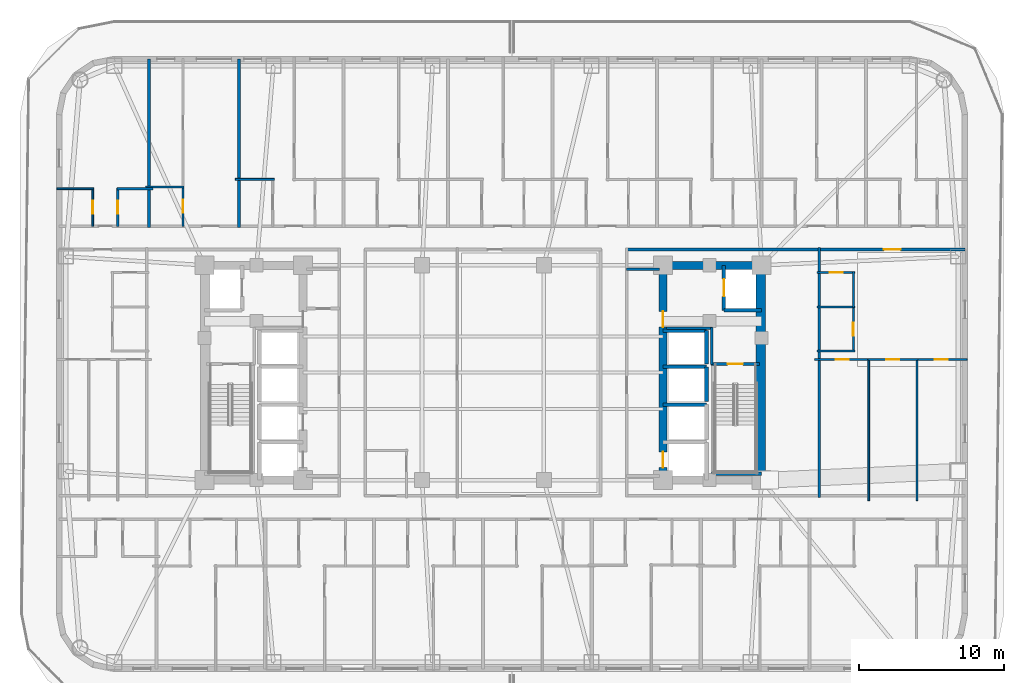
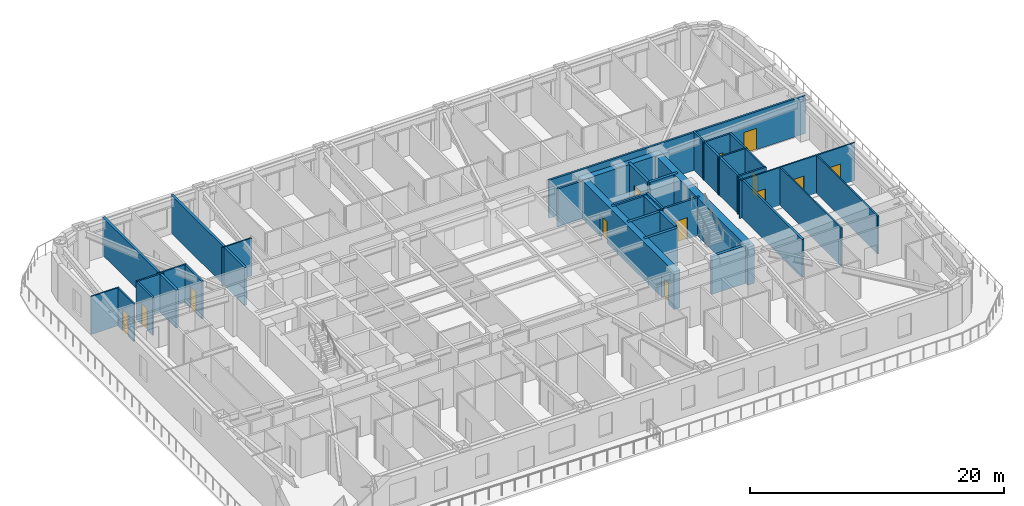
# One storey, part 7 of 16: 36 walls, 13 doors, 13 openings.
"""IFC4 building model written with IfcOpenShell, lengths in metres."""

from ifc_helpers import new_model, si_unit, direction, frame, frame_2d, origin, place, context, subcontext, project, spatial, rectangle, extrude, material, layer, layer_set, type_object, element, fill, save


model = new_model("IFC4")

# Units and contexts
model_context = context("Model", 3, precision=1e-05, world=origin(), true_north=direction((0.0, 1.0)))
body_context = subcontext(model_context, "Body", "Model", "MODEL_VIEW")
ifc_project = project(units=[si_unit("LENGTHUNIT", "METRE"), si_unit("AREAUNIT", "SQUARE_METRE"), si_unit("VOLUMEUNIT", "CUBIC_METRE"), si_unit("PLANEANGLEUNIT", "RADIAN"), si_unit("MASSUNIT", "GRAM", prefix="KILO")], contexts=[model_context])

# Site, building, storey
site_placement = place(None, origin())
site = spatial("IfcSite", under=ifc_project, at=site_placement, CompositionType="ELEMENT")
building_placement = place(site_placement, origin())
building = spatial("IfcBuilding", under=site, at=building_placement, Name="Voryun Gate Residences", CompositionType="ELEMENT")
storey_placement = place(building_placement, frame((0.0, 0.0, 113.10009765625)))
storey = spatial("IfcBuildingStorey", under=building, at=storey_placement, Name="L27", CompositionType="ELEMENT", Elevation=113.10009765625)

# Wall
ifc_material_1 = material(Name="Concrete C60/75", Category="concrete")
ifc_layer_1 = layer(ifc_material_1, 0.550048828125, Name="CW_CORE_550")
ifc_layer_set_1 = layer_set([ifc_layer_1], Name="Concrete C60/75")
wall_type_1 = type_object("IfcWallType", Name="CW_CORE_550", PredefinedType="SHEAR", material=ifc_layer_set_1)
wall_1_placement = place(storey_placement, frame((12.125, 7.39990234375, 0.0), z_axis=(0.0, 0.0, 1.0), x_axis=(1.0, 0.0, 0.0)))
element("IfcWall", 1, at=wall_1_placement, inside=storey, type_object=wall_type_1, Name="L27 Core shear wall CW-L27-EN", PredefinedType="SHEAR", context=body_context, shape_type="SweptSolid", body=[
    extrude(rectangle(XDim=7.35009765625, YDim=0.550048828125, at=frame_2d((3.675048828125, 0.0))), origin(), (0.0, 0.0, 1.0), 3.64990234375),
])

# Wall, openings, doors
wall_2_placement = place(storey_placement, frame((12.39990234375, -7.39990234375, 0.0), z_axis=(0.0, 0.0, 1.0), x_axis=(0.0, 1.0, 0.0)))
wall_2 = element("IfcWall", 2, at=wall_2_placement, inside=storey, type_object=wall_type_1, Name="L27 Core shear wall CW-L27-EW", PredefinedType="SHEAR", context=body_context, shape_type="SweptSolid", body=[
    extrude(rectangle(XDim=14.7998046875, YDim=0.550048828125, at=frame_2d((7.39990234375, 0.0))), origin(), (0.0, 0.0, 1.0), 3.64990234375),
])
opening_1_placement = place(wall_2_placement, frame((0.85009765625, 0.0, 0.0)))
opening_1 = element("IfcOpeningElement", 3, at=opening_1_placement, cuts=wall_2, Name="Opening LD2", PredefinedType="OPENING", context=body_context, shape_type="SweptSolid", body=[
    extrude(rectangle(XDim=1.10009765625, YDim=2.050048828125, at=frame_2d((0.550048828125, 1.02490234375))), frame((0.0, 0.284912109375, 0.0), z_axis=(0.0, -1.0, 0.0), x_axis=(1.0, 0.0, 0.0)), (0.0, 0.0, 1.0), 0.570068359375),
])
opening_2_placement = place(wall_2_placement, frame((10.530029296875, 0.0, 0.0)))
opening_2 = element("IfcOpeningElement", 4, at=opening_2_placement, cuts=wall_2, Name="Opening D-FD60-2", PredefinedType="OPENING", context=body_context, shape_type="SweptSolid", body=[
    extrude(rectangle(XDim=1.10009765625, YDim=2.050048828125, at=frame_2d((0.550048828125, 1.02490234375))), frame((0.0, 0.284912109375, 0.0), z_axis=(0.0, -1.0, 0.0), x_axis=(1.0, 0.0, 0.0)), (0.0, 0.0, 1.0), 0.570068359375),
])
ifc_material_2 = material(Name="Painted steel fire door", Category="steel")
door_type_1 = type_object("IfcDoorType", Name="DR_FD60_FFLOB_1100", OperationType="NOTDEFINED", PredefinedType="DOOR", material=ifc_material_2)
door_1_placement = place(opening_2_placement, origin())
door_1 = element("IfcDoor", 5, at=door_1_placement, inside=storey, type_object=door_type_1, Name="Door DR-L27-CLOB-E", OperationType="SINGLE_SWING_RIGHT", OverallHeight=2.050048828125, OverallWidth=1.10009765625, PredefinedType="DOOR", context=body_context, shape_type="SweptSolid", body=[
    extrude(rectangle(XDim=1.10009765625, YDim=2.050048828125, at=frame_2d((0.550048828125, 1.02490234375))), frame((0.0, 0.02490234375, 0.0), z_axis=(0.0, -1.0, 0.0), x_axis=(1.0, 0.0, 0.0)), (0.0, 0.0, 1.0), 0.050048828125),
])
fill(opening_2, door_1)
ifc_material_3 = material(Name="Anodised aluminium", Category="aluminium")
door_type_2 = type_object("IfcDoorType", Name="DR_LD_PASS_1100", OperationType="NOTDEFINED", PredefinedType="DOOR", material=ifc_material_3)
door_2_placement = place(opening_1_placement, origin())
door_2 = element("IfcDoor", 6, at=door_2_placement, inside=storey, type_object=door_type_2, Name="Lift EL-P3 sliding landing door L27", OperationType="SLIDING_TO_LEFT", OverallHeight=2.050048828125, OverallWidth=1.10009765625, PredefinedType="DOOR", context=body_context, shape_type="SweptSolid", body=[
    extrude(rectangle(XDim=1.10009765625, YDim=2.050048828125, at=frame_2d((0.550048828125, 1.02490234375))), frame((0.0, 0.02490234375, 0.0), z_axis=(0.0, -1.0, 0.0), x_axis=(1.0, 0.0, 0.0)), (0.0, 0.0, 1.0), 0.050048828125),
])
fill(opening_1, door_2)

# Wall
ifc_material_4 = material(Name="Concrete C60/75", Category="concrete")
ifc_layer_2 = layer(ifc_material_4, 0.64990234375, Name="CW_CORE_650")
ifc_layer_set_2 = layer_set([ifc_layer_2], Name="Concrete C60/75")
wall_type_2 = type_object("IfcWallType", Name="CW_CORE_650", PredefinedType="SHEAR", material=ifc_layer_set_2)
wall_3_placement = place(storey_placement, frame((19.14501953125, -7.39990234375, 0.0), z_axis=(0.0, 0.0, 1.0), x_axis=(0.0, 1.0, 0.0)))
element("IfcWall", 7, at=wall_3_placement, inside=storey, type_object=wall_type_2, Name="L27 Core shear wall CW-L27-EE", PredefinedType="SHEAR", context=body_context, shape_type="SweptSolid", body=[
    extrude(rectangle(XDim=14.7998046875, YDim=0.64990234375, at=frame_2d((7.39990234375, 0.0))), origin(), (0.0, 0.0, 1.0), 3.64990234375),
])

# Wall, opening, door
ifc_material_5 = material(Name="Gypsum acoustic fireboard")
ifc_layer_3 = layer(ifc_material_5, 0.179931640625, Name="W_CORR_RATED_180")
ifc_layer_set_3 = layer_set([ifc_layer_3], Name="Gypsum acoustic fireboard")
wall_type_3 = type_object("IfcWallType", Name="W_CORR_RATED_180", PredefinedType="PARTITIONING", material=ifc_layer_set_3)
wall_4_placement = place(storey_placement, frame((15.699951171875, 0.60009765625, 0.0), z_axis=(0.0, 0.0, 1.0), x_axis=(1.0, 0.0, 0.0)))
wall_4 = element("IfcWall", 8, at=wall_4_placement, inside=storey, type_object=wall_type_3, Name="Partition wall WP-L27-STV-E", PredefinedType="PARTITIONING", context=body_context, shape_type="SweptSolid", body=[
    extrude(rectangle(XDim=3.360107421875, YDim=0.179931640625, at=frame_2d((1.68017578125, 0.0))), origin(), (0.0, 0.0, 1.0), 3.64990234375),
])
opening_3_placement = place(wall_4_placement, frame((1.155029296875, 0.0, 0.0)))
opening_3 = element("IfcOpeningElement", 9, at=opening_3_placement, cuts=wall_4, Name="Opening D-FD60-1", PredefinedType="OPENING", context=body_context, shape_type="SweptSolid", body=[
    extrude(rectangle(XDim=1.050048828125, YDim=2.050048828125, at=frame_2d((0.52490234375, 1.02490234375))), frame((0.0, 0.099853515625, 0.0), z_axis=(0.0, -1.0, 0.0), x_axis=(1.0, 0.0, 0.0)), (0.0, 0.0, 1.0), 0.199951171875),
])
ifc_material_6 = material(Name="Painted steel fire door", Category="steel")
door_type_3 = type_object("IfcDoorType", Name="DR_FD60_STAIR_1050", OperationType="NOTDEFINED", PredefinedType="DOOR", material=ifc_material_6)
door_3_placement = place(opening_3_placement, origin())
door_3 = element("IfcDoor", 10, at=door_3_placement, inside=storey, type_object=door_type_3, Name="Door DR-L27-ST-E", OperationType="SINGLE_SWING_RIGHT", OverallHeight=2.050048828125, OverallWidth=1.050048828125, PredefinedType="DOOR", context=body_context, shape_type="SweptSolid", body=[
    extrude(rectangle(XDim=1.050048828125, YDim=2.050048828125, at=frame_2d((0.52490234375, 1.02490234375))), frame((0.0, 0.02490234375, 0.0), z_axis=(0.0, -1.0, 0.0), x_axis=(1.0, 0.0, 0.0)), (0.0, 0.0, 1.0), 0.050048828125),
])
fill(opening_3, door_3)

# Wall
wall_5_placement = place(storey_placement, frame((9.8798828125, 7.1201171875, 0.0), z_axis=(0.0, 0.0, 1.0), x_axis=(1.0, 0.0, 0.0)))
element("IfcWall", 11, at=wall_5_placement, inside=storey, type_object=wall_type_3, Name="Partition wall WP-L27-PLBN-E", PredefinedType="PARTITIONING", context=body_context, shape_type="SweptSolid", body=[
    extrude(rectangle(XDim=2.27001953125, YDim=0.179931640625, at=frame_2d((1.135009765625, 0.0))), origin(), (0.0, 0.0, 1.0), 3.64990234375),
])

# Wall, opening, door
wall_6_placement = place(storey_placement, frame((9.8798828125, 8.489990234375, 0.0), z_axis=(0.0, 0.0, 1.0), x_axis=(1.0, 0.0, 0.0)))
wall_6 = element("IfcWall", 12, at=wall_6_placement, inside=storey, type_object=wall_type_3, Name="Partition wall WP-L27-CWING-EN", PredefinedType="PARTITIONING", context=body_context, shape_type="SweptSolid", body=[
    extrude(rectangle(XDim=23.330078125, YDim=0.179931640625, at=frame_2d((11.6650390625, 0.0))), origin(), (0.0, 0.0, 1.0), 3.64990234375),
])
opening_4_placement = place(wall_6_placement, frame((17.739013671875, 0.0, 0.0)))
opening_4 = element("IfcOpeningElement", 13, at=opening_4_placement, cuts=wall_6, Name="Opening D-UNIT-1", PredefinedType="OPENING", context=body_context, shape_type="SweptSolid", body=[
    extrude(rectangle(XDim=1.14990234375, YDim=2.050048828125, at=frame_2d((0.574951171875, 1.02490234375))), frame((0.0, 0.099853515625, 0.0), z_axis=(0.0, -1.0, 0.0), x_axis=(1.0, 0.0, 0.0)), (0.0, 0.0, 1.0), 0.199951171875),
])
ifc_material_7 = material(Name="Armoured timber-clad fire door", Category="wood")
door_type_4 = type_object("IfcDoorType", Name="DR_UNIT_ENTRY_1150", OperationType="NOTDEFINED", PredefinedType="DOOR", material=ifc_material_7)
door_4_placement = place(opening_4_placement, origin())
door_4 = element("IfcDoor", 14, at=door_4_placement, inside=storey, type_object=door_type_4, Name="Door DR-L27-EE1N", OperationType="SINGLE_SWING_LEFT", OverallHeight=2.050048828125, OverallWidth=1.14990234375, PredefinedType="DOOR", context=body_context, shape_type="SweptSolid", body=[
    extrude(rectangle(XDim=1.14990234375, YDim=2.050048828125, at=frame_2d((0.574951171875, 1.02490234375))), frame((0.0, 0.02490234375, 0.0), z_axis=(0.0, -1.0, 0.0), x_axis=(1.0, 0.0, 0.0)), (0.0, 0.0, 1.0), 0.050048828125),
])
fill(opening_4, door_4)

# Walls
wall_7_placement = place(storey_placement, frame((23.169921875, -8.610107421875, 0.0), z_axis=(0.0, 0.0, 1.0), x_axis=(0.0, 1.0, 0.0)))
element("IfcWall", 15, at=wall_7_placement, inside=storey, type_object=wall_type_3, Name="Partition wall WP-L27-ECOR", PredefinedType="PARTITIONING", context=body_context, shape_type="SweptSolid", body=[
    extrude(rectangle(XDim=17.22021484375, YDim=0.179931640625, at=frame_2d((8.610107421875, 0.0))), origin(), (0.0, 0.0, 1.0), 3.64990234375),
])
ifc_material_8 = material(Name="Concrete C40/50", Category="concrete")
ifc_layer_4 = layer(ifc_material_8, 0.199951171875, Name="W_FF_LOBBY_200")
ifc_layer_set_4 = layer_set([ifc_layer_4], Name="Concrete C40/50")
wall_type_4 = type_object("IfcWallType", Name="W_FF_LOBBY_200", PredefinedType="PARTITIONING", material=ifc_layer_set_4)
wall_8_placement = place(storey_placement, frame((15.760009765625, 0.580078125, 0.0), z_axis=(0.0, 0.0, 1.0), x_axis=(0.0, 1.0, 0.0)))
element("IfcWall", 16, at=wall_8_placement, inside=storey, type_object=wall_type_4, Name="Partition wall WP-L27-FFP0-E", PredefinedType="PARTITIONING", context=body_context, shape_type="SweptSolid", body=[
    extrude(rectangle(XDim=2.52001953125, YDim=0.199951171875, at=frame_2d((1.260009765625, 0.0))), origin(), (0.0, 0.0, 1.0), 3.64990234375),
])
wall_9_placement = place(storey_placement, frame((12.659912109375, 3.06005859375, 0.0), z_axis=(0.0, 0.0, 1.0), x_axis=(1.0, 0.0, 0.0)))
element("IfcWall", 17, at=wall_9_placement, inside=storey, type_object=wall_type_4, Name="Partition wall WP-L27-FFPS-E", PredefinedType="PARTITIONING", context=body_context, shape_type="SweptSolid", body=[
    extrude(rectangle(XDim=3.16015625, YDim=0.199951171875, at=frame_2d((1.580078125, 0.0))), origin(), (0.0, 0.0, 1.0), 3.64990234375),
])
ifc_material_9 = material(Name="Concrete C40/50", Category="concrete")
ifc_layer_5 = layer(ifc_material_9, 0.219970703125, Name="W_PARTY_ACOUSTIC_220")
ifc_layer_set_5 = layer_set([ifc_layer_5], Name="Concrete C40/50")
wall_type_5 = type_object("IfcWallType", Name="W_PARTY_ACOUSTIC_220", PredefinedType="PARTITIONING", material=ifc_layer_set_5)
for number, where, z_axis, x_axis, name in (
    (18, (-23.009033203125, 10.02001953125, 0.0), (0.0, 0.0, 1.0), (0.0, 1.0, 0.0), "Partition wall WP-L27-NPTY-1"),
    (19, (-16.800048828125, 10.02001953125, 0.0), (0.0, 0.0, 1.0), (0.0, 1.0, 0.0), "Partition wall WP-L27-NPTY-2"),
):
    element("IfcWall", number, at=place(storey_placement, frame(where, z_axis=z_axis, x_axis=x_axis)), inside=storey, type_object=wall_type_5, Name=name, PredefinedType="PARTITIONING", context=body_context, shape_type="SweptSolid", body=[
        extrude(rectangle(XDim=11.590087890625, YDim=0.219970703125, at=frame_2d((5.794921875, 0.0))), origin(), (0.0, 0.0, 1.0), 3.64990234375),
    ])
ifc_material_10 = material(Name="Concrete C50/60", Category="concrete")
ifc_layer_6 = layer(ifc_material_10, 0.25, Name="W_SHAFT_RC250")
ifc_layer_set_6 = layer_set([ifc_layer_6], Name="Concrete C50/60")
wall_type_6 = type_object("IfcWallType", Name="W_SHAFT_RC250", PredefinedType="SOLIDWALL", material=ifc_layer_set_6)
wall_10_placement = place(storey_placement, frame((15.739990234375, -6.965087890625, 0.0), z_axis=(0.0, 0.0, 1.0), x_axis=(1.0, 0.0, 0.0)))
element("IfcWall", 20, at=wall_10_placement, inside=storey, type_object=wall_type_6, Name="L27 Stair shaft structural wall E-STS", PredefinedType="SOLIDWALL", context=body_context, shape_type="SweptSolid", body=[
    extrude(rectangle(XDim=3.4599609375, YDim=0.25, at=frame_2d((1.72998046875, 0.0))), origin(), (0.0, 0.0, 1.0), 3.64990234375),
])
wall_11_placement = place(storey_placement, frame((16.60009765625, 4.300048828125, 0.0), z_axis=(0.0, 0.0, 1.0), x_axis=(1.0, 0.0, 0.0)))
element("IfcWall", 21, at=wall_11_placement, inside=storey, type_object=wall_type_6, Name="Lift shaft wall WSH-L27-EL-FF-E1-S", PredefinedType="SOLIDWALL", context=body_context, shape_type="SweptSolid", body=[
    extrude(rectangle(XDim=2.599853515625, YDim=0.25, at=frame_2d((1.2998046875, 0.0))), origin(), (0.0, 0.0, 1.0), 3.64990234375),
])

# Wall, opening, door
wall_12_placement = place(storey_placement, frame((16.60009765625, 7.39990234375, 0.0), z_axis=(0.0, 0.0, 1.0), x_axis=(0.0, -1.0, 0.0)))
wall_12 = element("IfcWall", 22, at=wall_12_placement, inside=storey, type_object=wall_type_6, Name="Lift shaft wall WSH-L27-EL-FF-E1-W", PredefinedType="SOLIDWALL", context=body_context, shape_type="SweptSolid", body=[
    extrude(rectangle(XDim=3.099853515625, YDim=0.25, at=frame_2d((1.5498046875, 0.0))), origin(), (0.0, 0.0, 1.0), 3.64990234375),
])
opening_5_placement = place(wall_12_placement, frame((0.949951171875, 0.0, 0.0)))
opening_5 = element("IfcOpeningElement", 23, at=opening_5_placement, cuts=wall_12, Name="Opening LD1", PredefinedType="OPENING", context=body_context, shape_type="SweptSolid", body=[
    extrude(rectangle(XDim=1.199951171875, YDim=2.050048828125, at=frame_2d((0.60009765625, 1.02490234375))), frame((0.0, 0.135009765625, 0.0), z_axis=(0.0, -1.0, 0.0), x_axis=(1.0, 0.0, 0.0)), (0.0, 0.0, 1.0), 0.27001953125),
])
ifc_material_11 = material(Name="Anodised aluminium", Category="aluminium")
door_type_5 = type_object("IfcDoorType", Name="DR_LD_FF_1200", OperationType="NOTDEFINED", PredefinedType="DOOR", material=ifc_material_11)
door_5_placement = place(opening_5_placement, origin())
door_5 = element("IfcDoor", 24, at=door_5_placement, inside=storey, type_object=door_type_5, Name="Lift EL-FF-E1 sliding landing door L27", OperationType="SLIDING_TO_LEFT", OverallHeight=2.050048828125, OverallWidth=1.199951171875, PredefinedType="DOOR", context=body_context, shape_type="SweptSolid", body=[
    extrude(rectangle(XDim=1.199951171875, YDim=2.050048828125, at=frame_2d((0.60009765625, 1.02490234375))), frame((0.0, 0.02490234375, 0.0), z_axis=(0.0, -1.0, 0.0), x_axis=(1.0, 0.0, 0.0)), (0.0, 0.0, 1.0), 0.050048828125),
])
fill(opening_5, door_5)

# Walls
wall_13_placement = place(storey_placement, frame((15.39990234375, -2.199951171875, 0.0), z_axis=(0.0, 0.0, 1.0), x_axis=(-1.0, 0.0, 0.0)))
element("IfcWall", 25, at=wall_13_placement, inside=storey, type_object=wall_type_6, Name="Lift shaft wall WSH-L27-EL-P5-N", PredefinedType="SOLIDWALL", context=body_context, shape_type="SweptSolid", body=[
    extrude(rectangle(XDim=3.0, YDim=0.25, at=frame_2d((1.5, 0.0))), origin(), (0.0, 0.0, 1.0), 3.64990234375),
])
wall_14_placement = place(storey_placement, frame((15.39990234375, -2.0, 0.0), z_axis=(0.0, 0.0, 1.0), x_axis=(0.0, 1.0, 0.0)))
element("IfcWall", 26, at=wall_14_placement, inside=storey, type_object=wall_type_6, Name="Lift shaft wall WSH-L27-EL-P6-E", PredefinedType="SOLIDWALL", context=body_context, shape_type="SweptSolid", body=[
    extrude(rectangle(XDim=2.39990234375, YDim=0.25, at=frame_2d((1.199951171875, 0.0))), origin(), (0.0, 0.0, 1.0), 3.64990234375),
])
wall_15_placement = place(storey_placement, frame((15.39990234375, 0.39990234375, 0.0), z_axis=(0.0, 0.0, 1.0), x_axis=(-1.0, 0.0, 0.0)))
element("IfcWall", 27, at=wall_15_placement, inside=storey, type_object=wall_type_6, Name="Lift shaft wall WSH-L27-EL-P6-N", PredefinedType="SOLIDWALL", context=body_context, shape_type="SweptSolid", body=[
    extrude(rectangle(XDim=3.0, YDim=0.25, at=frame_2d((1.5, 0.0))), origin(), (0.0, 0.0, 1.0), 3.64990234375),
])
wall_16_placement = place(storey_placement, frame((15.39990234375, 0.60009765625, 0.0), z_axis=(0.0, 0.0, 1.0), x_axis=(0.0, 1.0, 0.0)))
element("IfcWall", 28, at=wall_16_placement, inside=storey, type_object=wall_type_6, Name="Lift shaft wall WSH-L27-EL-P8-E", PredefinedType="SOLIDWALL", context=body_context, shape_type="SweptSolid", body=[
    extrude(rectangle(XDim=2.2998046875, YDim=0.25, at=frame_2d((1.14990234375, 0.0))), origin(), (0.0, 0.0, 1.0), 3.64990234375),
])
wall_17_placement = place(storey_placement, frame((15.39990234375, 2.89990234375, 0.0), z_axis=(0.0, 0.0, 1.0), x_axis=(-1.0, 0.0, 0.0)))
element("IfcWall", 29, at=wall_17_placement, inside=storey, type_object=wall_type_6, Name="Lift shaft wall WSH-L27-EL-P8-N", PredefinedType="SOLIDWALL", context=body_context, shape_type="SweptSolid", body=[
    extrude(rectangle(XDim=3.0, YDim=0.25, at=frame_2d((1.5, 0.0))), origin(), (0.0, 0.0, 1.0), 3.64990234375),
])

# Wall, opening, door
ifc_material_12 = material(Name="Gypsum acoustic partition")
ifc_layer_7 = layer(ifc_material_12, 0.125, Name="W_UNIT_PART_125")
ifc_layer_set_7 = layer_set([ifc_layer_7], Name="Gypsum acoustic partition")
wall_type_7 = type_object("IfcWallType", Name="W_UNIT_PART_125", PredefinedType="PARTITIONING", material=ifc_layer_set_7)
wall_18_placement = place(storey_placement, frame((-26.881103515625, 10.080078125, 0.0), z_axis=(0.0, 0.0, 1.0), x_axis=(0.0, 1.0, 0.0)))
wall_18 = element("IfcWall", 30, at=wall_18_placement, inside=storey, type_object=wall_type_7, Name="Partition wall WP-L27-N1-CVK", PredefinedType="PARTITIONING", context=body_context, shape_type="SweptSolid", body=[
    extrude(rectangle(XDim=2.64990234375, YDim=0.125, at=frame_2d((1.324951171875, 0.0))), origin(), (0.0, 0.0, 1.0), 3.64990234375),
])
opening_6_placement = place(wall_18_placement, frame((0.875, 0.0, 0.0)))
opening_6 = element("IfcOpeningElement", 31, at=opening_6_placement, cuts=wall_18, Name="Opening D-INT-2", PredefinedType="OPENING", context=body_context, shape_type="SweptSolid", body=[
    extrude(rectangle(XDim=0.89990234375, YDim=2.050048828125, at=frame_2d((0.449951171875, 1.02490234375))), frame((0.0, 0.072509765625, 0.0), z_axis=(0.0, -1.0, 0.0), x_axis=(1.0, 0.0, 0.0)), (0.0, 0.0, 1.0), 0.14501953125),
])
ifc_material_13 = material(Name="Architectural oak veneer")
door_type_6 = type_object("IfcDoorType", Name="DR_INT_BATH_900", OperationType="NOTDEFINED", PredefinedType="DOOR", material=ifc_material_13)
door_6_placement = place(opening_6_placement, origin())
door_6 = element("IfcDoor", 32, at=door_6_placement, inside=storey, type_object=door_type_6, Name="Door DR-L27-N1-DK", OperationType="SINGLE_SWING_LEFT", OverallHeight=2.050048828125, OverallWidth=0.89990234375, PredefinedType="DOOR", context=body_context, shape_type="SweptSolid", body=[
    extrude(rectangle(XDim=0.89990234375, YDim=2.050048828125, at=frame_2d((0.449951171875, 1.02490234375))), frame((0.0, 0.02490234375, 0.0), z_axis=(0.0, -1.0, 0.0), x_axis=(1.0, 0.0, 0.0)), (0.0, 0.0, 1.0), 0.050048828125),
])
fill(opening_6, door_6)

# Walls
wall_19_placement = place(storey_placement, frame((-29.360107421875, 12.669921875, 0.0), z_axis=(0.0, 0.0, 1.0), x_axis=(1.0, 0.0, 0.0)))
element("IfcWall", 33, at=wall_19_placement, inside=storey, type_object=wall_type_7, Name="Partition wall WP-L27-N1-CHK", PredefinedType="PARTITIONING", context=body_context, shape_type="SweptSolid", body=[
    extrude(rectangle(XDim=2.5390625, YDim=0.125, at=frame_2d((1.26953125, 0.0))), origin(), (0.0, 0.0, 1.0), 3.64990234375),
])
wall_20_placement = place(storey_placement, frame((-17.06005859375, 13.320068359375, 0.0), z_axis=(0.0, 0.0, 1.0), x_axis=(1.0, 0.0, 0.0)))
element("IfcWall", 34, at=wall_20_placement, inside=storey, type_object=wall_type_7, Name="Partition wall WP-L27-N3-HZK", PredefinedType="PARTITIONING", context=body_context, shape_type="SweptSolid", body=[
    extrude(rectangle(XDim=2.68994140625, YDim=0.125, at=frame_2d((1.344970703125, 0.0))), origin(), (0.0, 0.0, 1.0), 3.64990234375),
])

# Wall, opening, door
wall_21_placement = place(storey_placement, frame((22.85009765625, 0.909912109375, 0.0), z_axis=(0.0, 0.0, 1.0), x_axis=(1.0, 0.0, 0.0)))
wall_21 = element("IfcWall", 35, at=wall_21_placement, inside=storey, type_object=wall_type_7, Name="Partition wall WP-L27-E1-HZMB1", PredefinedType="PARTITIONING", context=body_context, shape_type="SweptSolid", body=[
    extrude(rectangle(XDim=3.79833984375, YDim=0.125, at=frame_2d((1.899169921875, 0.0))), origin(), (0.0, 0.0, 1.0), 3.64990234375),
])
opening_7_placement = place(wall_21_placement, frame((1.4580078125, 0.0, 0.0)))
opening_7 = element("IfcOpeningElement", 36, at=opening_7_placement, cuts=wall_21, Name="Opening D-INT-2", PredefinedType="OPENING", context=body_context, shape_type="SweptSolid", body=[
    extrude(rectangle(XDim=0.89990234375, YDim=2.050048828125, at=frame_2d((0.449951171875, 1.02490234375))), frame((0.0, 0.072509765625, 0.0), z_axis=(0.0, -1.0, 0.0), x_axis=(1.0, 0.0, 0.0)), (0.0, 0.0, 1.0), 0.14501953125),
])
door_7_placement = place(opening_7_placement, origin())
door_7 = element("IfcDoor", 37, at=door_7_placement, inside=storey, type_object=door_type_6, Name="Door DR-L27-E1-DMB", OperationType="SINGLE_SWING_LEFT", OverallHeight=2.050048828125, OverallWidth=0.89990234375, PredefinedType="DOOR", context=body_context, shape_type="SweptSolid", body=[
    extrude(rectangle(XDim=0.89990234375, YDim=2.050048828125, at=frame_2d((0.449951171875, 1.02490234375))), frame((0.0, 0.02490234375, 0.0), z_axis=(0.0, -1.0, 0.0), x_axis=(1.0, 0.0, 0.0)), (0.0, 0.0, 1.0), 0.050048828125),
])
fill(opening_7, door_7)

wall_22_placement = place(storey_placement, frame((26.5234375, 0.909912109375, 0.0), z_axis=(0.0, 0.0, 1.0), x_axis=(1.0, 0.0, 0.0)))
wall_22 = element("IfcWall", 38, at=wall_22_placement, inside=storey, type_object=wall_type_7, Name="Partition wall WP-L27-E1-HZMB2", PredefinedType="PARTITIONING", context=body_context, shape_type="SweptSolid", body=[
    extrude(rectangle(XDim=3.441162109375, YDim=0.125, at=frame_2d((1.720703125, 0.0))), origin(), (0.0, 0.0, 1.0), 3.64990234375),
])
opening_8_placement = place(wall_22_placement, frame((1.2705078125, 0.0, 0.0)))
opening_8 = element("IfcOpeningElement", 39, at=opening_8_placement, cuts=wall_22, Name="Opening D-INT-2", PredefinedType="OPENING", context=body_context, shape_type="SweptSolid", body=[
    extrude(rectangle(XDim=0.89990234375, YDim=2.050048828125, at=frame_2d((0.449951171875, 1.02490234375))), frame((0.0, 0.072509765625, 0.0), z_axis=(0.0, -1.0, 0.0), x_axis=(1.0, 0.0, 0.0)), (0.0, 0.0, 1.0), 0.14501953125),
])
door_8_placement = place(opening_8_placement, origin())
door_8 = element("IfcDoor", 40, at=door_8_placement, inside=storey, type_object=door_type_6, Name="Door DR-L27-E1-DBD2", OperationType="SINGLE_SWING_RIGHT", OverallHeight=2.050048828125, OverallWidth=0.89990234375, PredefinedType="DOOR", context=body_context, shape_type="SweptSolid", body=[
    extrude(rectangle(XDim=0.89990234375, YDim=2.050048828125, at=frame_2d((0.449951171875, 1.02490234375))), frame((0.0, 0.02490234375, 0.0), z_axis=(0.0, -1.0, 0.0), x_axis=(1.0, 0.0, 0.0)), (0.0, 0.0, 1.0), 0.050048828125),
])
fill(opening_8, door_8)

wall_23_placement = place(storey_placement, frame((29.839599609375, 0.909912109375, 0.0), z_axis=(0.0, 0.0, 1.0), x_axis=(1.0, 0.0, 0.0)))
wall_23 = element("IfcWall", 41, at=wall_23_placement, inside=storey, type_object=wall_type_7, Name="Partition wall WP-L27-E1-HZMB3", PredefinedType="PARTITIONING", context=body_context, shape_type="SweptSolid", body=[
    extrude(rectangle(XDim=3.5205078125, YDim=0.125, at=frame_2d((1.76025390625, 0.0))), origin(), (0.0, 0.0, 1.0), 3.64990234375),
])
opening_9_placement = place(wall_23_placement, frame((1.301513671875, 0.0, 0.0)))
opening_9 = element("IfcOpeningElement", 42, at=opening_9_placement, cuts=wall_23, Name="Opening D-INT-2", PredefinedType="OPENING", context=body_context, shape_type="SweptSolid", body=[
    extrude(rectangle(XDim=0.89990234375, YDim=2.050048828125, at=frame_2d((0.449951171875, 1.02490234375))), frame((0.0, 0.072509765625, 0.0), z_axis=(0.0, -1.0, 0.0), x_axis=(1.0, 0.0, 0.0)), (0.0, 0.0, 1.0), 0.14501953125),
])
door_9_placement = place(opening_9_placement, origin())
door_9 = element("IfcDoor", 43, at=door_9_placement, inside=storey, type_object=door_type_6, Name="Door DR-L27-E1-DBD3", OperationType="SINGLE_SWING_LEFT", OverallHeight=2.050048828125, OverallWidth=0.89990234375, PredefinedType="DOOR", context=body_context, shape_type="SweptSolid", body=[
    extrude(rectangle(XDim=0.89990234375, YDim=2.050048828125, at=frame_2d((0.449951171875, 1.02490234375))), frame((0.0, 0.02490234375, 0.0), z_axis=(0.0, -1.0, 0.0), x_axis=(1.0, 0.0, 0.0)), (0.0, 0.0, 1.0), 0.050048828125),
])
fill(opening_9, door_9)

# Walls
for number, where, z_axis, x_axis, name in (
    (44, (29.902099609375, -8.81005859375, 0.0), (0.0, 0.0, 1.0), (0.0, 1.0, 0.0), "Partition wall WP-L27-E1-VMB2"),
    (45, (26.5859375, -8.81005859375, 0.0), (0.0, 0.0, 1.0), (0.0, 1.0, 0.0), "Partition wall WP-L27-E1-VMB"),
):
    element("IfcWall", number, at=place(storey_placement, frame(where, z_axis=z_axis, x_axis=x_axis)), inside=storey, type_object=wall_type_7, Name=name, PredefinedType="PARTITIONING", context=body_context, shape_type="SweptSolid", body=[
        extrude(rectangle(XDim=9.780029296875, YDim=0.125, at=frame_2d((4.89013671875, 0.0))), origin(), (0.0, 0.0, 1.0), 3.64990234375),
    ])

# Wall, opening, door
ifc_material_14 = material(Name="Gypsum moisture-resistant partition")
ifc_layer_8 = layer(ifc_material_14, 0.14990234375, Name="W_WET_PLUMB_150")
ifc_layer_set_8 = layer_set([ifc_layer_8], Name="Gypsum moisture-resistant partition")
wall_type_8 = type_object("IfcWallType", Name="W_WET_PLUMB_150", PredefinedType="PLUMBINGWALL", material=ifc_layer_set_8)
wall_24_placement = place(storey_placement, frame((-25.159912109375, 10.080078125, 0.0), z_axis=(0.0, 0.0, 1.0), x_axis=(0.0, 1.0, 0.0)))
wall_24 = element("IfcWall", 46, at=wall_24_placement, inside=storey, type_object=wall_type_8, Name="Partition wall WP-L27-N1-CVB", PredefinedType="PLUMBINGWALL", context=body_context, shape_type="SweptSolid", body=[
    extrude(rectangle(XDim=2.64990234375, YDim=0.14990234375, at=frame_2d((1.324951171875, 0.0))), origin(), (0.0, 0.0, 1.0), 3.64990234375),
])
opening_10_placement = place(wall_24_placement, frame((0.875, 0.0, 0.0)))
opening_10 = element("IfcOpeningElement", 47, at=opening_10_placement, cuts=wall_24, Name="Opening D-INT-2", PredefinedType="OPENING", context=body_context, shape_type="SweptSolid", body=[
    extrude(rectangle(XDim=0.89990234375, YDim=2.050048828125, at=frame_2d((0.449951171875, 1.02490234375))), frame((0.0, 0.0849609375, 0.0), z_axis=(0.0, -1.0, 0.0), x_axis=(1.0, 0.0, 0.0)), (0.0, 0.0, 1.0), 0.169921875),
])
door_10_placement = place(opening_10_placement, origin())
door_10 = element("IfcDoor", 48, at=door_10_placement, inside=storey, type_object=door_type_6, Name="Door DR-L27-N1-DB", OperationType="SINGLE_SWING_RIGHT", OverallHeight=2.050048828125, OverallWidth=0.89990234375, PredefinedType="DOOR", context=body_context, shape_type="SweptSolid", body=[
    extrude(rectangle(XDim=0.89990234375, YDim=2.050048828125, at=frame_2d((0.449951171875, 1.02490234375))), frame((0.0, 0.02490234375, 0.0), z_axis=(0.0, -1.0, 0.0), x_axis=(1.0, 0.0, 0.0)), (0.0, 0.0, 1.0), 0.050048828125),
])
fill(opening_10, door_10)

# Walls
wall_25_placement = place(storey_placement, frame((-25.219970703125, 12.669921875, 0.0), z_axis=(0.0, 0.0, 1.0), x_axis=(1.0, 0.0, 0.0)))
element("IfcWall", 49, at=wall_25_placement, inside=storey, type_object=wall_type_8, Name="Partition wall WP-L27-N1-CHB", PredefinedType="PLUMBINGWALL", context=body_context, shape_type="SweptSolid", body=[
    extrude(rectangle(XDim=2.470947265625, YDim=0.14990234375, at=frame_2d((1.2353515625, 0.0))), origin(), (0.0, 0.0, 1.0), 3.64990234375),
])
wall_26_placement = place(storey_placement, frame((-23.26904296875, 12.800048828125, 0.0), z_axis=(0.0, 0.0, 1.0), x_axis=(1.0, 0.0, 0.0)))
element("IfcWall", 50, at=wall_26_placement, inside=storey, type_object=wall_type_8, Name="Partition wall WP-L27-N2-SKB", PredefinedType="PLUMBINGWALL", context=body_context, shape_type="SweptSolid", body=[
    extrude(rectangle(XDim=2.671142578125, YDim=0.14990234375, at=frame_2d((1.33544921875, 0.0))), origin(), (0.0, 0.0, 1.0), 3.64990234375),
])

# Wall, opening, door
wall_27_placement = place(storey_placement, frame((-20.677978515625, 10.080078125, 0.0), z_axis=(0.0, 0.0, 1.0), x_axis=(0.0, 1.0, 0.0)))
wall_27 = element("IfcWall", 51, at=wall_27_placement, inside=storey, type_object=wall_type_8, Name="Partition wall WP-L27-N2-SVT1", PredefinedType="PLUMBINGWALL", context=body_context, shape_type="SweptSolid", body=[
    extrude(rectangle(XDim=2.760009765625, YDim=0.14990234375, at=frame_2d((1.3798828125, 0.0))), origin(), (0.0, 0.0, 1.0), 3.64990234375),
])
opening_11_placement = place(wall_27_placement, frame((0.929931640625, 0.0, 0.0)))
opening_11 = element("IfcOpeningElement", 52, at=opening_11_placement, cuts=wall_27, Name="Opening D-INT-2", PredefinedType="OPENING", context=body_context, shape_type="SweptSolid", body=[
    extrude(rectangle(XDim=0.89990234375, YDim=2.050048828125, at=frame_2d((0.449951171875, 1.02490234375))), frame((0.0, 0.0849609375, 0.0), z_axis=(0.0, -1.0, 0.0), x_axis=(1.0, 0.0, 0.0)), (0.0, 0.0, 1.0), 0.169921875),
])
door_11_placement = place(opening_11_placement, origin())
door_11 = element("IfcDoor", 53, at=door_11_placement, inside=storey, type_object=door_type_6, Name="Door DR-L27-N2-DB", OperationType="SINGLE_SWING_LEFT", OverallHeight=2.050048828125, OverallWidth=0.89990234375, PredefinedType="DOOR", context=body_context, shape_type="SweptSolid", body=[
    extrude(rectangle(XDim=0.89990234375, YDim=2.050048828125, at=frame_2d((0.449951171875, 1.02490234375))), frame((0.0, 0.02490234375, 0.0), z_axis=(0.0, -1.0, 0.0), x_axis=(1.0, 0.0, 0.0)), (0.0, 0.0, 1.0), 0.050048828125),
])
fill(opening_11, door_11)

wall_28_placement = place(storey_placement, frame((23.02001953125, 6.89990234375, 0.0), z_axis=(0.0, 0.0, 1.0), x_axis=(1.0, 0.0, 0.0)))
wall_28 = element("IfcWall", 54, at=wall_28_placement, inside=storey, type_object=wall_type_8, Name="Partition wall WP-L27-E1-IBT", PredefinedType="PLUMBINGWALL", context=body_context, shape_type="SweptSolid", body=[
    extrude(rectangle(XDim=2.619873046875, YDim=0.14990234375, at=frame_2d((1.31005859375, 0.0))), origin(), (0.0, 0.0, 1.0), 3.64990234375),
])
opening_12_placement = place(wall_28_placement, frame((0.860107421875, 0.0, 0.0)))
opening_12 = element("IfcOpeningElement", 55, at=opening_12_placement, cuts=wall_28, Name="Opening D-INT-2", PredefinedType="OPENING", context=body_context, shape_type="SweptSolid", body=[
    extrude(rectangle(XDim=0.89990234375, YDim=2.050048828125, at=frame_2d((0.449951171875, 1.02490234375))), frame((0.0, 0.0849609375, 0.0), z_axis=(0.0, -1.0, 0.0), x_axis=(1.0, 0.0, 0.0)), (0.0, 0.0, 1.0), 0.169921875),
])
door_12_placement = place(opening_12_placement, origin())
door_12 = element("IfcDoor", 56, at=door_12_placement, inside=storey, type_object=door_type_6, Name="Door DR-L27-E1-DK", OperationType="SINGLE_SWING_LEFT", OverallHeight=2.050048828125, OverallWidth=0.89990234375, PredefinedType="DOOR", context=body_context, shape_type="SweptSolid", body=[
    extrude(rectangle(XDim=0.89990234375, YDim=2.050048828125, at=frame_2d((0.449951171875, 1.02490234375))), frame((0.0, 0.02490234375, 0.0), z_axis=(0.0, -1.0, 0.0), x_axis=(1.0, 0.0, 0.0)), (0.0, 0.0, 1.0), 0.050048828125),
])
fill(opening_12, door_12)

# Walls
for number, where, z_axis, x_axis, name in (
    (57, (23.02001953125, 4.52001953125, 0.0), (0.0, 0.0, 1.0), (1.0, 0.0, 0.0), "Partition wall WP-L27-E1-IKB"),
    (58, (23.02001953125, 1.5, 0.0), (0.0, 0.0, 1.0), (1.0, 0.0, 0.0), "Partition wall WP-L27-E1-IBB"),
):
    element("IfcWall", number, at=place(storey_placement, frame(where, z_axis=z_axis, x_axis=x_axis)), inside=storey, type_object=wall_type_8, Name=name, PredefinedType="PLUMBINGWALL", context=body_context, shape_type="SweptSolid", body=[
        extrude(rectangle(XDim=2.619873046875, YDim=0.14990234375, at=frame_2d((1.31005859375, 0.0))), origin(), (0.0, 0.0, 1.0), 3.64990234375),
    ])

# Wall, opening, door
wall_29_placement = place(storey_placement, frame((25.52001953125, 1.43994140625, 0.0), z_axis=(0.0, 0.0, 1.0), x_axis=(0.0, 1.0, 0.0)))
wall_29 = element("IfcWall", 59, at=wall_29_placement, inside=storey, type_object=wall_type_8, Name="Partition wall WP-L27-E1-VTSK1", PredefinedType="PLUMBINGWALL", context=body_context, shape_type="SweptSolid", body=[
    extrude(rectangle(XDim=3.1201171875, YDim=0.14990234375, at=frame_2d((1.56005859375, 0.0))), origin(), (0.0, 0.0, 1.0), 3.64990234375),
])
opening_13_placement = place(wall_29_placement, frame((1.110107421875, 0.0, 0.0)))
opening_13 = element("IfcOpeningElement", 60, at=opening_13_placement, cuts=wall_29, Name="Opening D-INT-2", PredefinedType="OPENING", context=body_context, shape_type="SweptSolid", body=[
    extrude(rectangle(XDim=0.89990234375, YDim=2.050048828125, at=frame_2d((0.449951171875, 1.02490234375))), frame((0.0, 0.0849609375, 0.0), z_axis=(0.0, -1.0, 0.0), x_axis=(1.0, 0.0, 0.0)), (0.0, 0.0, 1.0), 0.169921875),
])
door_13_placement = place(opening_13_placement, origin())
door_13 = element("IfcDoor", 61, at=door_13_placement, inside=storey, type_object=door_type_6, Name="Door DR-L27-E1-DB", OperationType="SINGLE_SWING_RIGHT", OverallHeight=2.050048828125, OverallWidth=0.89990234375, PredefinedType="DOOR", context=body_context, shape_type="SweptSolid", body=[
    extrude(rectangle(XDim=0.89990234375, YDim=2.050048828125, at=frame_2d((0.449951171875, 1.02490234375))), frame((0.0, 0.02490234375, 0.0), z_axis=(0.0, -1.0, 0.0), x_axis=(1.0, 0.0, 0.0)), (0.0, 0.0, 1.0), 0.050048828125),
])
fill(opening_13, door_13)

# Wall
wall_30_placement = place(storey_placement, frame((25.52001953125, 4.47998046875, 0.0), z_axis=(0.0, 0.0, 1.0), x_axis=(0.0, 1.0, 0.0)))
element("IfcWall", 62, at=wall_30_placement, inside=storey, type_object=wall_type_8, Name="Partition wall WP-L27-E1-VTSK2", PredefinedType="PLUMBINGWALL", context=body_context, shape_type="SweptSolid", body=[
    extrude(rectangle(XDim=2.47998046875, YDim=0.14990234375, at=frame_2d((1.239990234375, 0.0))), origin(), (0.0, 0.0, 1.0), 3.64990234375),
])

save(model, "model.ifc")
